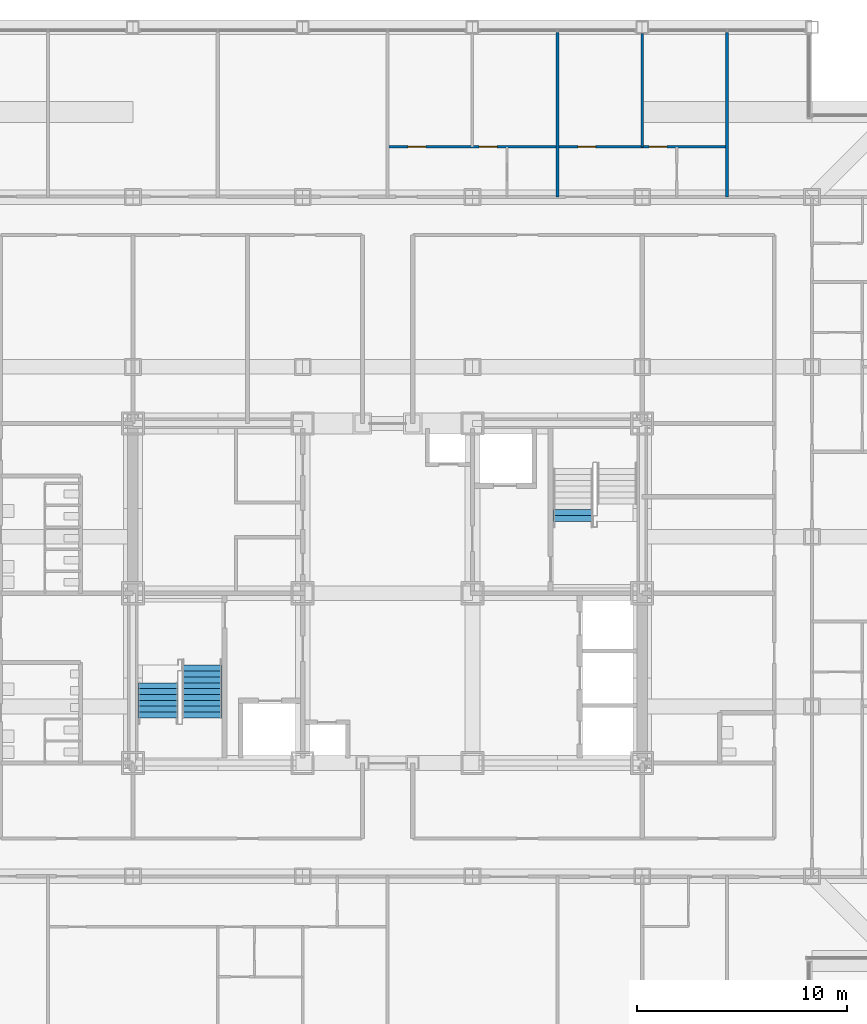
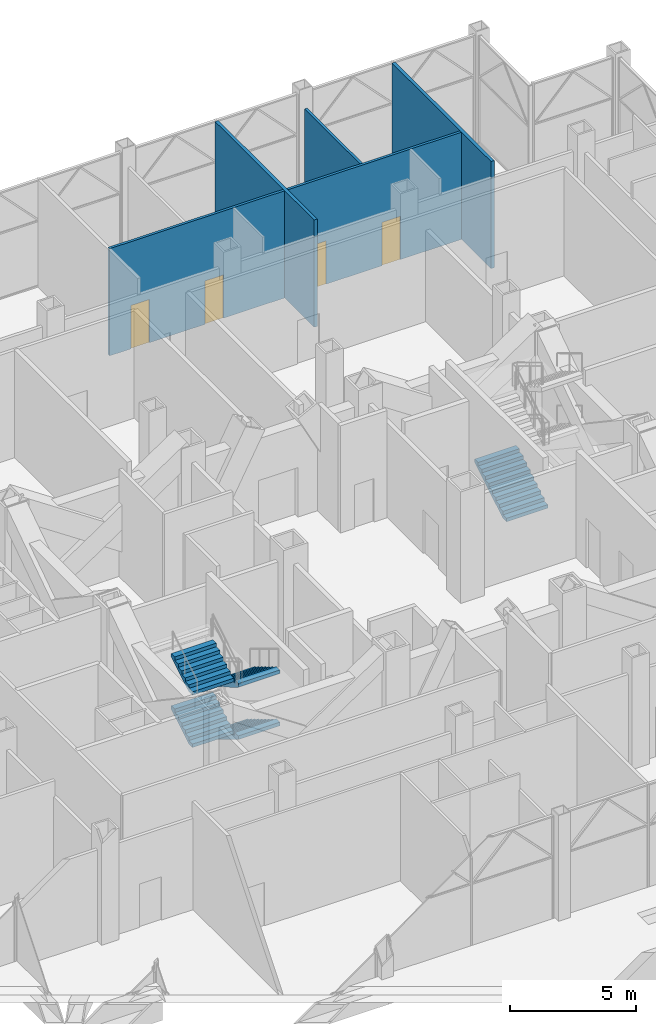
# One storey, part 26 of 29: 5 stair flights, 4 doors, 4 walls, 4 openings, 2 elements without a shape of their own.
"""IFC4 building model written with IfcOpenShell, lengths in metres."""

from ifc_helpers import new_model, si_unit, direction, frame, frame_2d, origin, place, context, subcontext, project, spatial, rectangle, extrude, polygons, source, transform, mapped, material, layer, layer_set, type_object, element, fill, aggregate, save


model = new_model("IFC4")

# Units and contexts
model_context = context("Model", 3, precision=1e-05, world=origin(), true_north=direction((0.0, 1.0)))
body_context = subcontext(model_context, "Body", "Model", "MODEL_VIEW")
ifc_project = project(units=[si_unit("LENGTHUNIT", "METRE"), si_unit("AREAUNIT", "SQUARE_METRE"), si_unit("VOLUMEUNIT", "CUBIC_METRE"), si_unit("PLANEANGLEUNIT", "RADIAN"), si_unit("MASSUNIT", "GRAM", prefix="KILO")], contexts=[model_context])

# Site, building, storey
site_placement = place(None, origin())
site = spatial("IfcSite", under=ifc_project, at=site_placement, CompositionType="ELEMENT")
building_placement = place(site_placement, origin())
building = spatial("IfcBuilding", under=site, at=building_placement, Name="Kopane Lantern Tower", CompositionType="ELEMENT")
storey_placement = place(building_placement, frame((0.0, 0.0, 165.0)))
storey = spatial("IfcBuildingStorey", under=building, at=storey_placement, Name="L42", CompositionType="ELEMENT", Elevation=165.0)

# Wall, openings, doors
ifc_material_1 = material(Name="Gypsum board on steel studs", Category="steel")
ifc_layer_1 = layer(ifc_material_1, 0.1201171875)
ifc_layer_set_1 = layer_set([ifc_layer_1], Name="APARTMENT INTERNAL WALL 120")
wall_type_1 = type_object("IfcWallType", Name="APARTMENT INTERNAL WALL 120", PredefinedType="PARTITIONING", material=ifc_layer_set_1)
wall_1_placement = place(storey_placement, frame((28.35009765625, 53.699951171875, 0.0), z_axis=(0.0, 0.0, 1.0), x_axis=(1.0, 0.0, 0.0)))
wall_1 = element("IfcWall", 1, at=wall_1_placement, inside=storey, type_object=wall_type_1, Name="Apartment Internal Wall 120 L42", PredefinedType="PARTITIONING", context=body_context, shape_type="SweptSolid", body=[
    extrude(rectangle(XDim=16.199951171875, YDim=0.1201171875, at=frame_2d((8.10009765625, 0.0))), origin(), (0.0, 0.0, 1.0), 5.18994140625),
])
opening_1_placement = place(wall_1_placement, frame((0.97509765625, 0.0, 0.0)))
opening_1 = element("IfcOpeningElement", 2, at=opening_1_placement, cuts=wall_1, Name="Opening L42-032", PredefinedType="OPENING", context=body_context, shape_type="SweptSolid", body=[
    extrude(rectangle(XDim=0.85009765625, YDim=2.10009765625, at=frame_2d((0.425048828125, 1.050048828125))), frame((0.0, 0.070068359375, 0.0), z_axis=(0.0, -1.0, 0.0), x_axis=(1.0, 0.0, 0.0)), (0.0, 0.0, 1.0), 0.14013671875),
])
opening_2_placement = place(wall_1_placement, frame((4.375, 0.0, 0.0)))
opening_2 = element("IfcOpeningElement", 3, at=opening_2_placement, cuts=wall_1, Name="Opening L42-033", PredefinedType="OPENING", context=body_context, shape_type="SweptSolid", body=[
    extrude(rectangle(XDim=0.85009765625, YDim=2.10009765625, at=frame_2d((0.425048828125, 1.050048828125))), frame((0.0, 0.070068359375, 0.0), z_axis=(0.0, -1.0, 0.0), x_axis=(1.0, 0.0, 0.0)), (0.0, 0.0, 1.0), 0.14013671875),
])
opening_3_placement = place(wall_1_placement, frame((9.074951171875, 0.0, 0.0)))
opening_3 = element("IfcOpeningElement", 4, at=opening_3_placement, cuts=wall_1, Name="Opening L42-036", PredefinedType="OPENING", context=body_context, shape_type="SweptSolid", body=[
    extrude(rectangle(XDim=0.85009765625, YDim=2.10009765625, at=frame_2d((0.425048828125, 1.050048828125))), frame((0.0, 0.070068359375, 0.0), z_axis=(0.0, -1.0, 0.0), x_axis=(1.0, 0.0, 0.0)), (0.0, 0.0, 1.0), 0.14013671875),
])
opening_4_placement = place(wall_1_placement, frame((12.47509765625, 0.0, 0.0)))
opening_4 = element("IfcOpeningElement", 5, at=opening_4_placement, cuts=wall_1, Name="Opening L42-037", PredefinedType="OPENING", context=body_context, shape_type="SweptSolid", body=[
    extrude(rectangle(XDim=0.85009765625, YDim=2.10009765625, at=frame_2d((0.425048828125, 1.050048828125))), frame((0.0, 0.070068359375, 0.0), z_axis=(0.0, -1.0, 0.0), x_axis=(1.0, 0.0, 0.0)), (0.0, 0.0, 1.0), 0.14013671875),
])
ifc_material_2 = material(Name="Timber door set", Category="wood")
door_type = type_object("IfcDoorType", Name="DOOR D4 850x2100", OperationType="SINGLE_SWING_LEFT", PredefinedType="DOOR", material=ifc_material_2)
door_1_placement = place(opening_1_placement, origin())
door_1 = element("IfcDoor", 6, at=door_1_placement, inside=storey, type_object=door_type, Name="Door L42-032", OperationType="SINGLE_SWING_RIGHT", OverallHeight=2.10009765625, OverallWidth=0.85009765625, PredefinedType="DOOR", context=body_context, shape_type="SweptSolid", body=[
    extrude(rectangle(XDim=0.85009765625, YDim=2.10009765625, at=frame_2d((0.425048828125, 1.050048828125))), frame((0.0, 0.02490234375, 0.0), z_axis=(0.0, -1.0, 0.0), x_axis=(1.0, 0.0, 0.0)), (0.0, 0.0, 1.0), 0.050048828125),
])
fill(opening_1, door_1)
door_2_placement = place(opening_2_placement, origin())
door_2 = element("IfcDoor", 7, at=door_2_placement, inside=storey, type_object=door_type, Name="Door L42-033", OperationType="SINGLE_SWING_LEFT", OverallHeight=2.10009765625, OverallWidth=0.85009765625, PredefinedType="DOOR", context=body_context, shape_type="SweptSolid", body=[
    extrude(rectangle(XDim=0.85009765625, YDim=2.10009765625, at=frame_2d((0.425048828125, 1.050048828125))), frame((0.0, 0.02490234375, 0.0), z_axis=(0.0, -1.0, 0.0), x_axis=(1.0, 0.0, 0.0)), (0.0, 0.0, 1.0), 0.050048828125),
])
fill(opening_2, door_2)
door_3_placement = place(opening_3_placement, origin())
door_3 = element("IfcDoor", 8, at=door_3_placement, inside=storey, type_object=door_type, Name="Door L42-036", OperationType="SINGLE_SWING_RIGHT", OverallHeight=2.10009765625, OverallWidth=0.85009765625, PredefinedType="DOOR", context=body_context, shape_type="SweptSolid", body=[
    extrude(rectangle(XDim=0.85009765625, YDim=2.10009765625, at=frame_2d((0.425048828125, 1.050048828125))), frame((0.0, 0.02490234375, 0.0), z_axis=(0.0, -1.0, 0.0), x_axis=(1.0, 0.0, 0.0)), (0.0, 0.0, 1.0), 0.050048828125),
])
fill(opening_3, door_3)
door_4_placement = place(opening_4_placement, origin())
door_4 = element("IfcDoor", 9, at=door_4_placement, inside=storey, type_object=door_type, Name="Door L42-037", OperationType="SINGLE_SWING_LEFT", OverallHeight=2.10009765625, OverallWidth=0.85009765625, PredefinedType="DOOR", context=body_context, shape_type="SweptSolid", body=[
    extrude(rectangle(XDim=0.85009765625, YDim=2.10009765625, at=frame_2d((0.425048828125, 1.050048828125))), frame((0.0, 0.02490234375, 0.0), z_axis=(0.0, -1.0, 0.0), x_axis=(1.0, 0.0, 0.0)), (0.0, 0.0, 1.0), 0.050048828125),
])
fill(opening_4, door_4)

# Walls
wall_2_placement = place(storey_placement, frame((40.5, 53.699951171875, 0.0), z_axis=(0.0, 0.0, 1.0), x_axis=(0.0, 1.0, 0.0)))
element("IfcWall", 10, at=wall_2_placement, inside=storey, type_object=wall_type_1, Name="Apartment Internal Wall 120 L42", PredefinedType="PARTITIONING", context=body_context, shape_type="SweptSolid", body=[
    extrude(rectangle(XDim=5.400146484375, YDim=0.1201171875, at=frame_2d((2.7001953125, 0.0))), origin(), (0.0, 0.0, 1.0), 4.420166015625),
])
ifc_material_3 = material(Name="Gypsum board on steel studs", Category="steel")
ifc_layer_2 = layer(ifc_material_3, 0.14990234375)
ifc_layer_set_2 = layer_set([ifc_layer_2], Name="DEMISING WALL 150 EI 60")
wall_type_2 = type_object("IfcWallType", Name="DEMISING WALL 150 EI 60", PredefinedType="PARTITIONING", material=ifc_layer_set_2)
for number, where, z_axis, x_axis, name in (
    (11, (36.449951171875, 51.300048828125, 0.0), (0.0, 0.0, 1.0), (0.0, 1.0, 0.0), "Demising Wall 150 Ei 60 L42"),
    (12, (44.550048828125, 51.300048828125, 0.0), (0.0, 0.0, 1.0), (0.0, 1.0, 0.0), "Demising Wall 150 Ei 60 L42"),
):
    element("IfcWall", number, at=place(storey_placement, frame(where, z_axis=z_axis, x_axis=x_axis)), inside=storey, type_object=wall_type_2, Name=name, PredefinedType="PARTITIONING", context=body_context, shape_type="SweptSolid", body=[
        extrude(rectangle(XDim=7.864501953125, YDim=0.14990234375, at=frame_2d((3.93212890625, 0.0))), origin(), (0.0, 0.0, 1.0), 5.18994140625),
    ])

# Stair, stair flights
ifc_material_4 = material(Name="Steel S355JR", Category="steel")
stair_type = type_object("IfcStairType", Name="EXIT STAIR 1900 HALF TURN", PredefinedType="HALF_TURN_STAIR", material=ifc_material_4)
stair_1_placement = place(storey_placement, origin())
stair_1 = element("IfcStair", 13, at=stair_1_placement, inside=storey, type_object=stair_type, Name="Exit stair ST1 L42", PredefinedType="HALF_TURN_STAIR")
ifc_material_5 = material(Name="Steel S355JR", Category="steel")
stair_flight_type = type_object("IfcStairFlightType", Name="STAIR FLIGHT 1900 STEEL", PredefinedType="STRAIGHT", material=ifc_material_5)
shared_shape_1 = source(origin(), body_context, "Body", "Tessellation", [
    polygons([(1.959960938, 0.949951172, 1.181152344), (1.679931641, 0.949951172, 1.181152344), (1.679931641, -0.949951172, 1.181152344), (1.959960938, -0.949951172, 1.181152344), (0.290527344, 0.949951172, 0.0), (1.959960938, 0.949951172, 1.006347656), (1.959960938, -0.949951172, 1.006347656), (0.290527344, -0.949951172, 0.0), (0.0, 0.949951172, 0.0), (0.0, -0.949951172, 0.0), (0.280029297, 0.949951172, 0.168701172), (0.0, 0.949951172, 0.168701172), (0.0, -0.949951172, 0.168701172), (0.280029297, -0.949951172, 0.168701172), (0.280029297, 0.949951172, 0.337402344), (0.280029297, -0.949951172, 0.337402344), (0.560058594, 0.949951172, 0.337402344), (0.560058594, -0.949951172, 0.337402344), (0.560058594, 0.949951172, 0.506347656), (0.560058594, -0.949951172, 0.506347656), (0.840087891, 0.949951172, 0.506347656), (0.840087891, -0.949951172, 0.506347656), (0.840087891, 0.949951172, 0.675048828), (0.840087891, -0.949951172, 0.675048828), (1.120117188, 0.949951172, 0.675048828), (1.120117188, -0.949951172, 0.675048828), (1.120117188, 0.949951172, 0.84375), (1.120117188, -0.949951172, 0.84375), (1.399902344, 0.949951172, 0.84375), (1.399902344, -0.949951172, 0.84375), (1.399902344, 0.949951172, 1.012451172), (1.399902344, -0.949951172, 1.012451172), (1.679931641, 0.949951172, 1.012451172), (1.679931641, -0.949951172, 1.012451172), (0.0, 0.0, 0.004559491), (0.0, 0.0, 0.009118982), (0.0, 0.0, 0.013678473), (0.0, 0.0, 0.018237965), (0.0, 0.0, 0.022797456), (0.0, 0.0, 0.027356947), (0.0, 0.0, 0.031916438), (0.0, 0.0, 0.036475929), (0.0, 0.0, 0.04103542), (0.0, 0.0, 0.045594911), (0.0, 0.0, 0.050154402), (0.0, 0.0, 0.054713894), (0.0, 0.0, 0.059273385), (0.0, 0.0, 0.063832876), (0.0, 0.0, 0.068392367), (0.0, 0.0, 0.072951858), (0.0, 0.0, 0.077511349), (0.0, 0.0, 0.08207084), (0.0, 0.0, 0.086630332), (0.0, 0.0, 0.091189823), (0.0, 0.0, 0.095749314), (0.0, 0.0, 0.100308805), (0.0, 0.0, 0.104868296), (0.0, 0.0, 0.109427787), (0.0, 0.0, 0.113987278), (0.0, 0.0, 0.118546769), (0.0, 0.0, 0.123106261), (0.0, 0.0, 0.127665752), (0.0, 0.0, 0.132225243), (0.0, 0.0, 0.136784734), (0.0, 0.0, 0.141344225), (0.0, 0.0, 0.145903716), (0.0, 0.0, 0.150463207), (0.0, 0.0, 0.155022698), (0.0, 0.0, 0.15958219), (0.0, 0.0, 0.164141681), (1.959960938, 0.0, 1.011072107), (1.959960938, 0.0, 1.015796558), (1.959960938, 0.0, 1.020521009), (1.959960938, 0.0, 1.02524546), (1.959960938, 0.0, 1.029969911), (1.959960938, 0.0, 1.034694362), (1.959960938, 0.0, 1.039418813), (1.959960938, 0.0, 1.044143264), (1.959960938, 0.0, 1.048867715), (1.959960938, 0.0, 1.053592166), (1.959960938, 0.0, 1.058316617), (1.959960938, 0.0, 1.063041068), (1.959960938, 0.0, 1.067765519), (1.959960938, 0.0, 1.07248997), (1.959960938, 0.0, 1.077214421), (1.959960938, 0.0, 1.081938872), (1.959960938, 0.0, 1.086663323), (1.959960938, 0.0, 1.091387774), (1.959960938, 0.0, 1.096112226), (1.959960938, 0.0, 1.100836677), (1.959960938, 0.0, 1.105561128), (1.959960938, 0.0, 1.110285579), (1.959960938, 0.0, 1.11501003), (1.959960938, 0.0, 1.119734481), (1.959960938, 0.0, 1.124458932), (1.959960938, 0.0, 1.129183383), (1.959960938, 0.0, 1.133907834), (1.959960938, 0.0, 1.138632285), (1.959960938, 0.0, 1.143356736), (1.959960938, 0.0, 1.148081187), (1.959960938, 0.0, 1.152805638), (1.959960938, 0.0, 1.157530089), (1.959960938, 0.0, 1.16225454), (1.959960938, 0.0, 1.166978991), (1.959960938, 0.0, 1.171703442), (1.959960938, 0.0, 1.176427893)], [[[1, 2, 3]], [[1, 3, 4]], [[5, 6, 7]], [[5, 7, 8]], [[9, 5, 8]], [[9, 8, 10]], [[11, 12, 13]], [[11, 13, 14]], [[15, 11, 14]], [[15, 14, 16]], [[17, 15, 16]], [[17, 16, 18]], [[19, 17, 18]], [[19, 18, 20]], [[21, 19, 20]], [[21, 20, 22]], [[23, 21, 22]], [[23, 22, 24]], [[25, 23, 24]], [[25, 24, 26]], [[27, 25, 26]], [[27, 26, 28]], [[29, 27, 28]], [[29, 28, 30]], [[31, 29, 30]], [[31, 30, 32]], [[33, 31, 32]], [[33, 32, 34]], [[2, 33, 34]], [[2, 34, 3]], [[33, 1, 6]], [[29, 33, 6]], [[2, 1, 33]], [[25, 29, 6]], [[31, 33, 29]], [[5, 21, 25]], [[27, 29, 25]], [[17, 21, 5]], [[23, 25, 21]], [[11, 17, 5]], [[19, 21, 17]], [[9, 11, 5]], [[15, 17, 11]], [[12, 11, 9]], [[6, 5, 25]], [[7, 4, 34]], [[7, 34, 30]], [[34, 4, 3]], [[7, 30, 26]], [[30, 34, 32]], [[26, 22, 8]], [[26, 30, 28]], [[8, 22, 18]], [[22, 26, 24]], [[8, 18, 14]], [[18, 22, 20]], [[8, 14, 10]], [[14, 18, 16]], [[10, 14, 13]], [[26, 8, 7]], [[10, 35, 9]], [[10, 36, 35]], [[9, 35, 36]], [[10, 37, 36]], [[9, 36, 37]], [[10, 38, 37]], [[9, 37, 38]], [[10, 39, 38]], [[9, 38, 39]], [[10, 40, 39]], [[9, 39, 40]], [[10, 41, 40]], [[9, 40, 41]], [[10, 42, 41]], [[9, 41, 42]], [[10, 43, 42]], [[9, 42, 43]], [[10, 44, 43]], [[9, 43, 44]], [[10, 45, 44]], [[9, 44, 45]], [[10, 46, 45]], [[9, 45, 46]], [[10, 47, 46]], [[9, 46, 47]], [[10, 48, 47]], [[9, 47, 48]], [[10, 49, 48]], [[9, 48, 49]], [[10, 50, 49]], [[9, 49, 50]], [[10, 51, 50]], [[9, 50, 51]], [[10, 52, 51]], [[9, 51, 52]], [[10, 53, 52]], [[9, 52, 53]], [[10, 54, 53]], [[9, 53, 54]], [[10, 55, 54]], [[9, 54, 55]], [[10, 56, 55]], [[9, 55, 56]], [[10, 57, 56]], [[9, 56, 57]], [[10, 58, 57]], [[9, 57, 58]], [[10, 59, 58]], [[9, 58, 59]], [[10, 60, 59]], [[9, 59, 60]], [[10, 61, 60]], [[9, 60, 61]], [[10, 62, 61]], [[9, 61, 62]], [[10, 63, 62]], [[9, 62, 63]], [[10, 64, 63]], [[9, 63, 64]], [[10, 65, 64]], [[9, 64, 65]], [[10, 66, 65]], [[9, 65, 66]], [[10, 67, 66]], [[9, 66, 67]], [[10, 68, 67]], [[9, 67, 68]], [[10, 69, 68]], [[9, 68, 69]], [[10, 70, 69]], [[9, 69, 70]], [[10, 13, 70]], [[70, 13, 12]], [[9, 70, 12]], [[7, 6, 71]], [[7, 71, 72]], [[6, 72, 71]], [[7, 72, 73]], [[6, 73, 72]], [[7, 73, 74]], [[6, 74, 73]], [[7, 74, 75]], [[6, 75, 74]], [[7, 75, 76]], [[6, 76, 75]], [[7, 76, 77]], [[6, 77, 76]], [[7, 77, 78]], [[6, 78, 77]], [[7, 78, 79]], [[6, 79, 78]], [[7, 79, 80]], [[6, 80, 79]], [[7, 80, 81]], [[6, 81, 80]], [[7, 81, 82]], [[6, 82, 81]], [[7, 82, 83]], [[6, 83, 82]], [[7, 83, 84]], [[6, 84, 83]], [[7, 84, 85]], [[6, 85, 84]], [[7, 85, 86]], [[6, 86, 85]], [[7, 86, 87]], [[6, 87, 86]], [[7, 87, 88]], [[6, 88, 87]], [[7, 88, 89]], [[6, 89, 88]], [[7, 89, 90]], [[6, 90, 89]], [[7, 90, 91]], [[6, 91, 90]], [[7, 91, 92]], [[6, 92, 91]], [[7, 92, 93]], [[6, 93, 92]], [[7, 93, 94]], [[6, 94, 93]], [[7, 94, 95]], [[6, 95, 94]], [[7, 95, 96]], [[6, 96, 95]], [[7, 96, 97]], [[6, 97, 96]], [[7, 97, 98]], [[6, 98, 97]], [[7, 98, 99]], [[6, 99, 98]], [[7, 99, 100]], [[6, 100, 99]], [[7, 100, 101]], [[6, 101, 100]], [[7, 101, 102]], [[6, 102, 101]], [[7, 102, 103]], [[6, 103, 102]], [[7, 103, 104]], [[6, 104, 103]], [[7, 104, 105]], [[6, 105, 104]], [[7, 105, 106]], [[6, 106, 105]], [[7, 106, 4]], [[106, 1, 4]], [[6, 1, 106]]], closed=True),
])
stair_flight_1_placement = place(storey_placement, frame((19.5, 28.409912109375, 2.868896484375), z_axis=(0.0, 0.0, 1.0), x_axis=(0.0, -1.0, 0.0)))
stair_flight_1 = element("IfcStairFlight", 14, at=stair_flight_1_placement, type_object=stair_flight_type, Name="ST1 flight 3", NumberOfRisers=8, NumberOfTreads=7, PredefinedType="STRAIGHT", RiserHeight=0.16875, TreadLength=0.28, context=body_context, shape_type="MappedRepresentation", body=[
    mapped(shared_shape_1, transform((0.0, 0.0, 0.0))),
])
shared_shape_2 = source(origin(), body_context, "Body", "Tessellation", [
    polygons([(2.520019531, 0.949951172, 1.518798828), (2.239990234, 0.949951172, 1.518798828), (2.239990234, -0.949951172, 1.518798828), (2.520019531, -0.949951172, 1.518798828), (0.290527344, 0.949951172, 0.0), (2.520019531, 0.949951172, 1.34375), (2.520019531, -0.949951172, 1.34375), (0.290527344, -0.949951172, 0.0), (0.0, 0.949951172, 0.0), (0.0, -0.949951172, 0.0), (0.280029297, 0.949951172, 0.168701172), (0.0, 0.949951172, 0.168701172), (0.0, -0.949951172, 0.168701172), (0.280029297, -0.949951172, 0.168701172), (0.280029297, 0.949951172, 0.337402344), (0.280029297, -0.949951172, 0.337402344), (0.560058594, 0.949951172, 0.337402344), (0.560058594, -0.949951172, 0.337402344), (0.560058594, 0.949951172, 0.506347656), (0.560058594, -0.949951172, 0.506347656), (0.840087891, 0.949951172, 0.506347656), (0.840087891, -0.949951172, 0.506347656), (0.840087891, 0.949951172, 0.675048828), (0.840087891, -0.949951172, 0.675048828), (1.120117188, 0.949951172, 0.675048828), (1.120117188, -0.949951172, 0.675048828), (1.120117188, 0.949951172, 0.84375), (1.120117188, -0.949951172, 0.84375), (1.399902344, 0.949951172, 0.84375), (1.399902344, -0.949951172, 0.84375), (1.399902344, 0.949951172, 1.012451172), (1.399902344, -0.949951172, 1.012451172), (1.679931641, 0.949951172, 1.012451172), (1.679931641, -0.949951172, 1.012451172), (1.679931641, 0.949951172, 1.181152344), (1.679931641, -0.949951172, 1.181152344), (1.959960938, 0.949951172, 1.181152344), (1.959960938, -0.949951172, 1.181152344), (1.959960938, 0.949951172, 1.350097656), (1.959960938, -0.949951172, 1.350097656), (2.239990234, 0.949951172, 1.350097656), (2.239990234, -0.949951172, 1.350097656), (0.0, 0.0, 0.004559491), (0.0, 0.0, 0.009118982), (0.0, 0.0, 0.013678473), (0.0, 0.0, 0.018237965), (0.0, 0.0, 0.022797456), (0.0, 0.0, 0.027356947), (0.0, 0.0, 0.031916438), (0.0, 0.0, 0.036475929), (0.0, 0.0, 0.04103542), (0.0, 0.0, 0.045594911), (0.0, 0.0, 0.050154402), (0.0, 0.0, 0.054713894), (0.0, 0.0, 0.059273385), (0.0, 0.0, 0.063832876), (0.0, 0.0, 0.068392367), (0.0, 0.0, 0.072951858), (0.0, 0.0, 0.077511349), (0.0, 0.0, 0.08207084), (0.0, 0.0, 0.086630332), (0.0, 0.0, 0.091189823), (0.0, 0.0, 0.095749314), (0.0, 0.0, 0.100308805), (0.0, 0.0, 0.104868296), (0.0, 0.0, 0.109427787), (0.0, 0.0, 0.113987278), (0.0, 0.0, 0.118546769), (0.0, 0.0, 0.123106261), (0.0, 0.0, 0.127665752), (0.0, 0.0, 0.132225243), (0.0, 0.0, 0.136784734), (0.0, 0.0, 0.141344225), (0.0, 0.0, 0.145903716), (0.0, 0.0, 0.150463207), (0.0, 0.0, 0.155022698), (0.0, 0.0, 0.15958219), (0.0, 0.0, 0.164141681), (2.520019531, 0.0, 1.348481049), (2.520019531, 0.0, 1.353212099), (2.520019531, 0.0, 1.357943148), (2.520019531, 0.0, 1.362674198), (2.520019531, 0.0, 1.367405247), (2.520019531, 0.0, 1.372136296), (2.520019531, 0.0, 1.376867346), (2.520019531, 0.0, 1.381598395), (2.520019531, 0.0, 1.386329445), (2.520019531, 0.0, 1.391060494), (2.520019531, 0.0, 1.395791543), (2.520019531, 0.0, 1.400522593), (2.520019531, 0.0, 1.405253642), (2.520019531, 0.0, 1.409984692), (2.520019531, 0.0, 1.414715741), (2.520019531, 0.0, 1.419446791), (2.520019531, 0.0, 1.42417784), (2.520019531, 0.0, 1.428908889), (2.520019531, 0.0, 1.433639939), (2.520019531, 0.0, 1.438370988), (2.520019531, 0.0, 1.443102038), (2.520019531, 0.0, 1.447833087), (2.520019531, 0.0, 1.452564136), (2.520019531, 0.0, 1.457295186), (2.520019531, 0.0, 1.462026235), (2.520019531, 0.0, 1.466757285), (2.520019531, 0.0, 1.471488334), (2.520019531, 0.0, 1.476219383), (2.520019531, 0.0, 1.480950433), (2.520019531, 0.0, 1.485681482), (2.520019531, 0.0, 1.490412532), (2.520019531, 0.0, 1.495143581), (2.520019531, 0.0, 1.49987463), (2.520019531, 0.0, 1.50460568), (2.520019531, 0.0, 1.509336729), (2.520019531, 0.0, 1.514067779)], [[[1, 2, 3]], [[1, 3, 4]], [[5, 6, 7]], [[5, 7, 8]], [[9, 5, 8]], [[9, 8, 10]], [[11, 12, 13]], [[11, 13, 14]], [[15, 11, 14]], [[15, 14, 16]], [[17, 15, 16]], [[17, 16, 18]], [[19, 17, 18]], [[19, 18, 20]], [[21, 19, 20]], [[21, 20, 22]], [[23, 21, 22]], [[23, 22, 24]], [[25, 23, 24]], [[25, 24, 26]], [[27, 25, 26]], [[27, 26, 28]], [[29, 27, 28]], [[29, 28, 30]], [[31, 29, 30]], [[31, 30, 32]], [[33, 31, 32]], [[33, 32, 34]], [[35, 33, 34]], [[35, 34, 36]], [[37, 35, 36]], [[37, 36, 38]], [[39, 37, 38]], [[39, 38, 40]], [[41, 39, 40]], [[41, 40, 42]], [[2, 41, 42]], [[2, 42, 3]], [[41, 1, 6]], [[37, 41, 6]], [[2, 1, 41]], [[33, 37, 6]], [[39, 41, 37]], [[35, 37, 33]], [[31, 33, 29]], [[5, 21, 25]], [[27, 29, 25]], [[17, 21, 5]], [[23, 25, 21]], [[11, 17, 5]], [[19, 21, 17]], [[9, 11, 5]], [[15, 17, 11]], [[12, 11, 9]], [[6, 5, 33]], [[33, 5, 29]], [[29, 5, 25]], [[7, 4, 42]], [[7, 42, 38]], [[42, 4, 3]], [[7, 38, 34]], [[38, 42, 40]], [[34, 38, 36]], [[30, 34, 32]], [[26, 22, 8]], [[26, 30, 28]], [[8, 22, 18]], [[22, 26, 24]], [[8, 18, 14]], [[18, 22, 20]], [[8, 14, 10]], [[14, 18, 16]], [[10, 14, 13]], [[34, 8, 7]], [[30, 8, 34]], [[26, 8, 30]], [[10, 43, 9]], [[10, 44, 43]], [[9, 43, 44]], [[10, 45, 44]], [[9, 44, 45]], [[10, 46, 45]], [[9, 45, 46]], [[10, 47, 46]], [[9, 46, 47]], [[10, 48, 47]], [[9, 47, 48]], [[10, 49, 48]], [[9, 48, 49]], [[10, 50, 49]], [[9, 49, 50]], [[10, 51, 50]], [[9, 50, 51]], [[10, 52, 51]], [[9, 51, 52]], [[10, 53, 52]], [[9, 52, 53]], [[10, 54, 53]], [[9, 53, 54]], [[10, 55, 54]], [[9, 54, 55]], [[10, 56, 55]], [[9, 55, 56]], [[10, 57, 56]], [[9, 56, 57]], [[10, 58, 57]], [[9, 57, 58]], [[10, 59, 58]], [[9, 58, 59]], [[10, 60, 59]], [[9, 59, 60]], [[10, 61, 60]], [[9, 60, 61]], [[10, 62, 61]], [[9, 61, 62]], [[10, 63, 62]], [[9, 62, 63]], [[10, 64, 63]], [[9, 63, 64]], [[10, 65, 64]], [[9, 64, 65]], [[10, 66, 65]], [[9, 65, 66]], [[10, 67, 66]], [[9, 66, 67]], [[10, 68, 67]], [[9, 67, 68]], [[10, 69, 68]], [[9, 68, 69]], [[10, 70, 69]], [[9, 69, 70]], [[10, 71, 70]], [[9, 70, 71]], [[10, 72, 71]], [[9, 71, 72]], [[10, 73, 72]], [[9, 72, 73]], [[10, 74, 73]], [[9, 73, 74]], [[10, 75, 74]], [[9, 74, 75]], [[10, 76, 75]], [[9, 75, 76]], [[10, 77, 76]], [[9, 76, 77]], [[10, 78, 77]], [[9, 77, 78]], [[10, 13, 78]], [[78, 13, 12]], [[9, 78, 12]], [[7, 6, 79]], [[7, 79, 80]], [[6, 80, 79]], [[7, 80, 81]], [[6, 81, 80]], [[7, 81, 82]], [[6, 82, 81]], [[7, 82, 83]], [[6, 83, 82]], [[7, 83, 84]], [[6, 84, 83]], [[7, 84, 85]], [[6, 85, 84]], [[7, 85, 86]], [[6, 86, 85]], [[7, 86, 87]], [[6, 87, 86]], [[7, 87, 88]], [[6, 88, 87]], [[7, 88, 89]], [[6, 89, 88]], [[7, 89, 90]], [[6, 90, 89]], [[7, 90, 91]], [[6, 91, 90]], [[7, 91, 92]], [[6, 92, 91]], [[7, 92, 93]], [[6, 93, 92]], [[7, 93, 94]], [[6, 94, 93]], [[7, 94, 95]], [[6, 95, 94]], [[7, 95, 96]], [[6, 96, 95]], [[7, 96, 97]], [[6, 97, 96]], [[7, 97, 98]], [[6, 98, 97]], [[7, 98, 99]], [[6, 99, 98]], [[7, 99, 100]], [[6, 100, 99]], [[7, 100, 101]], [[6, 101, 100]], [[7, 101, 102]], [[6, 102, 101]], [[7, 102, 103]], [[6, 103, 102]], [[7, 103, 104]], [[6, 104, 103]], [[7, 104, 105]], [[6, 105, 104]], [[7, 105, 106]], [[6, 106, 105]], [[7, 106, 107]], [[6, 107, 106]], [[7, 107, 108]], [[6, 108, 107]], [[7, 108, 109]], [[6, 109, 108]], [[7, 109, 110]], [[6, 110, 109]], [[7, 110, 111]], [[6, 111, 110]], [[7, 111, 112]], [[6, 112, 111]], [[7, 112, 113]], [[6, 113, 112]], [[7, 113, 114]], [[6, 114, 113]], [[7, 114, 4]], [[114, 1, 4]], [[6, 1, 114]]], closed=True),
])
stair_flight_2_placement = place(storey_placement, frame((19.5, 28.969970703125, 0.0), z_axis=(0.0, 0.0, 1.0), x_axis=(0.0, -1.0, 0.0)))
stair_flight_2 = element("IfcStairFlight", 15, at=stair_flight_2_placement, type_object=stair_flight_type, Name="ST1 flight 1", NumberOfRisers=10, NumberOfTreads=9, PredefinedType="STRAIGHT", RiserHeight=0.16875, TreadLength=0.28, context=body_context, shape_type="MappedRepresentation", body=[
    mapped(shared_shape_2, transform((0.0, 0.0, 0.0))),
])

# Stair, stair flight
stair_2_placement = place(storey_placement, origin())
stair_2 = element("IfcStair", 16, at=stair_2_placement, inside=storey, type_object=stair_type, Name="Exit stair ST2 L42", PredefinedType="HALF_TURN_STAIR")
stair_flight_3_placement = place(storey_placement, frame((37.199951171875, 35.830078125, 0.0), z_axis=(0.0, 0.0, 1.0), x_axis=(0.0, 1.0, 0.0)))
stair_flight_3 = element("IfcStairFlight", 17, at=stair_flight_3_placement, type_object=stair_flight_type, Name="ST2 flight 1", NumberOfRisers=10, NumberOfTreads=9, PredefinedType="STRAIGHT", RiserHeight=0.16875, TreadLength=0.28, context=body_context, shape_type="MappedRepresentation", body=[
    mapped(shared_shape_2, transform((0.0, 0.0, 0.0))),
])
aggregate(stair_2, [stair_flight_3])

# Stair flight
shared_shape_3 = source(origin(), body_context, "Body", "Tessellation", [
    polygons([(1.679931641, 0.949951172, 1.012451172), (1.399902344, 0.949951172, 1.012451172), (1.399902344, -0.949951172, 1.012451172), (1.679931641, -0.949951172, 1.012451172), (0.290527344, 0.949951172, 0.0), (1.679931641, 0.949951172, 0.837402344), (1.679931641, -0.949951172, 0.837402344), (0.290527344, -0.949951172, 0.0), (0.0, 0.949951172, 0.0), (0.0, -0.949951172, 0.0), (0.280029297, 0.949951172, 0.168701172), (0.0, 0.949951172, 0.168701172), (0.0, -0.949951172, 0.168701172), (0.280029297, -0.949951172, 0.168701172), (0.280029297, 0.949951172, 0.337402344), (0.280029297, -0.949951172, 0.337402344), (0.560058594, 0.949951172, 0.337402344), (0.560058594, -0.949951172, 0.337402344), (0.560058594, 0.949951172, 0.506347656), (0.560058594, -0.949951172, 0.506347656), (0.840087891, 0.949951172, 0.506347656), (0.840087891, -0.949951172, 0.506347656), (0.840087891, 0.949951172, 0.675048828), (0.840087891, -0.949951172, 0.675048828), (1.120117188, 0.949951172, 0.675048828), (1.120117188, -0.949951172, 0.675048828), (1.120117188, 0.949951172, 0.84375), (1.120117188, -0.949951172, 0.84375), (1.399902344, 0.949951172, 0.84375), (1.399902344, -0.949951172, 0.84375), (0.0, 0.0, 0.004559491), (0.0, 0.0, 0.009118982), (0.0, 0.0, 0.013678473), (0.0, 0.0, 0.018237965), (0.0, 0.0, 0.022797456), (0.0, 0.0, 0.027356947), (0.0, 0.0, 0.031916438), (0.0, 0.0, 0.036475929), (0.0, 0.0, 0.04103542), (0.0, 0.0, 0.045594911), (0.0, 0.0, 0.050154402), (0.0, 0.0, 0.054713894), (0.0, 0.0, 0.059273385), (0.0, 0.0, 0.063832876), (0.0, 0.0, 0.068392367), (0.0, 0.0, 0.072951858), (0.0, 0.0, 0.077511349), (0.0, 0.0, 0.08207084), (0.0, 0.0, 0.086630332), (0.0, 0.0, 0.091189823), (0.0, 0.0, 0.095749314), (0.0, 0.0, 0.100308805), (0.0, 0.0, 0.104868296), (0.0, 0.0, 0.109427787), (0.0, 0.0, 0.113987278), (0.0, 0.0, 0.118546769), (0.0, 0.0, 0.123106261), (0.0, 0.0, 0.127665752), (0.0, 0.0, 0.132225243), (0.0, 0.0, 0.136784734), (0.0, 0.0, 0.141344225), (0.0, 0.0, 0.145903716), (0.0, 0.0, 0.150463207), (0.0, 0.0, 0.155022698), (0.0, 0.0, 0.15958219), (0.0, 0.0, 0.164141681), (1.679931641, 0.0, 0.842133393), (1.679931641, 0.0, 0.846864443), (1.679931641, 0.0, 0.851595492), (1.679931641, 0.0, 0.856326541), (1.679931641, 0.0, 0.861057591), (1.679931641, 0.0, 0.86578864), (1.679931641, 0.0, 0.87051969), (1.679931641, 0.0, 0.875250739), (1.679931641, 0.0, 0.879981788), (1.679931641, 0.0, 0.884712838), (1.679931641, 0.0, 0.889443887), (1.679931641, 0.0, 0.894174937), (1.679931641, 0.0, 0.898905986), (1.679931641, 0.0, 0.903637035), (1.679931641, 0.0, 0.908368085), (1.679931641, 0.0, 0.913099134), (1.679931641, 0.0, 0.917830184), (1.679931641, 0.0, 0.922561233), (1.679931641, 0.0, 0.927292283), (1.679931641, 0.0, 0.932023332), (1.679931641, 0.0, 0.936754381), (1.679931641, 0.0, 0.941485431), (1.679931641, 0.0, 0.94621648), (1.679931641, 0.0, 0.95094753), (1.679931641, 0.0, 0.955678579), (1.679931641, 0.0, 0.960409628), (1.679931641, 0.0, 0.965140678), (1.679931641, 0.0, 0.969871727), (1.679931641, 0.0, 0.974602777), (1.679931641, 0.0, 0.979333826), (1.679931641, 0.0, 0.984064875), (1.679931641, 0.0, 0.988795925), (1.679931641, 0.0, 0.993526974), (1.679931641, 0.0, 0.998258024), (1.679931641, 0.0, 1.002989073), (1.679931641, 0.0, 1.007720122)], [[[1, 2, 3]], [[1, 3, 4]], [[5, 6, 7]], [[5, 7, 8]], [[9, 5, 8]], [[9, 8, 10]], [[11, 12, 13]], [[11, 13, 14]], [[15, 11, 14]], [[15, 14, 16]], [[17, 15, 16]], [[17, 16, 18]], [[19, 17, 18]], [[19, 18, 20]], [[21, 19, 20]], [[21, 20, 22]], [[23, 21, 22]], [[23, 22, 24]], [[25, 23, 24]], [[25, 24, 26]], [[27, 25, 26]], [[27, 26, 28]], [[29, 27, 28]], [[29, 28, 30]], [[2, 29, 30]], [[2, 30, 3]], [[29, 1, 6]], [[25, 29, 6]], [[2, 1, 29]], [[21, 25, 6]], [[5, 21, 6]], [[27, 29, 25]], [[17, 21, 5]], [[23, 25, 21]], [[11, 17, 5]], [[19, 21, 17]], [[9, 11, 5]], [[15, 17, 11]], [[12, 11, 9]], [[7, 4, 30]], [[7, 30, 26]], [[30, 4, 3]], [[7, 26, 22]], [[7, 22, 8]], [[26, 30, 28]], [[8, 22, 18]], [[22, 26, 24]], [[8, 18, 14]], [[18, 22, 20]], [[8, 14, 10]], [[14, 18, 16]], [[10, 14, 13]], [[10, 31, 9]], [[10, 32, 31]], [[9, 31, 32]], [[10, 33, 32]], [[9, 32, 33]], [[10, 34, 33]], [[9, 33, 34]], [[10, 35, 34]], [[9, 34, 35]], [[10, 36, 35]], [[9, 35, 36]], [[10, 37, 36]], [[9, 36, 37]], [[10, 38, 37]], [[9, 37, 38]], [[10, 39, 38]], [[9, 38, 39]], [[10, 40, 39]], [[9, 39, 40]], [[10, 41, 40]], [[9, 40, 41]], [[10, 42, 41]], [[9, 41, 42]], [[10, 43, 42]], [[9, 42, 43]], [[10, 44, 43]], [[9, 43, 44]], [[10, 45, 44]], [[9, 44, 45]], [[10, 46, 45]], [[9, 45, 46]], [[10, 47, 46]], [[9, 46, 47]], [[10, 48, 47]], [[9, 47, 48]], [[10, 49, 48]], [[9, 48, 49]], [[10, 50, 49]], [[9, 49, 50]], [[10, 51, 50]], [[9, 50, 51]], [[10, 52, 51]], [[9, 51, 52]], [[10, 53, 52]], [[9, 52, 53]], [[10, 54, 53]], [[9, 53, 54]], [[10, 55, 54]], [[9, 54, 55]], [[10, 56, 55]], [[9, 55, 56]], [[10, 57, 56]], [[9, 56, 57]], [[10, 58, 57]], [[9, 57, 58]], [[10, 59, 58]], [[9, 58, 59]], [[10, 60, 59]], [[9, 59, 60]], [[10, 61, 60]], [[9, 60, 61]], [[10, 62, 61]], [[9, 61, 62]], [[10, 63, 62]], [[9, 62, 63]], [[10, 64, 63]], [[9, 63, 64]], [[10, 65, 64]], [[9, 64, 65]], [[10, 66, 65]], [[9, 65, 66]], [[10, 13, 66]], [[66, 13, 12]], [[9, 66, 12]], [[7, 6, 67]], [[7, 67, 68]], [[6, 68, 67]], [[7, 68, 69]], [[6, 69, 68]], [[7, 69, 70]], [[6, 70, 69]], [[7, 70, 71]], [[6, 71, 70]], [[7, 71, 72]], [[6, 72, 71]], [[7, 72, 73]], [[6, 73, 72]], [[7, 73, 74]], [[6, 74, 73]], [[7, 74, 75]], [[6, 75, 74]], [[7, 75, 76]], [[6, 76, 75]], [[7, 76, 77]], [[6, 77, 76]], [[7, 77, 78]], [[6, 78, 77]], [[7, 78, 79]], [[6, 79, 78]], [[7, 79, 80]], [[6, 80, 79]], [[7, 80, 81]], [[6, 81, 80]], [[7, 81, 82]], [[6, 82, 81]], [[7, 82, 83]], [[6, 83, 82]], [[7, 83, 84]], [[6, 84, 83]], [[7, 84, 85]], [[6, 85, 84]], [[7, 85, 86]], [[6, 86, 85]], [[7, 86, 87]], [[6, 87, 86]], [[7, 87, 88]], [[6, 88, 87]], [[7, 88, 89]], [[6, 89, 88]], [[7, 89, 90]], [[6, 90, 89]], [[7, 90, 91]], [[6, 91, 90]], [[7, 91, 92]], [[6, 92, 91]], [[7, 92, 93]], [[6, 93, 92]], [[7, 93, 94]], [[6, 94, 93]], [[7, 94, 95]], [[6, 95, 94]], [[7, 95, 96]], [[6, 96, 95]], [[7, 96, 97]], [[6, 97, 96]], [[7, 97, 98]], [[6, 98, 97]], [[7, 98, 99]], [[6, 99, 98]], [[7, 99, 100]], [[6, 100, 99]], [[7, 100, 101]], [[6, 101, 100]], [[7, 101, 102]], [[6, 102, 101]], [[7, 102, 4]], [[102, 1, 4]], [[6, 1, 102]]], closed=True),
])
stair_flight_4_placement = place(storey_placement, frame((17.39990234375, 26.449951171875, 1.6875), z_axis=(0.0, 0.0, 1.0), x_axis=(0.0, 1.0, 0.0)))
stair_flight_4 = element("IfcStairFlight", 18, at=stair_flight_4_placement, type_object=stair_flight_type, Name="ST1 flight 2", NumberOfRisers=7, NumberOfTreads=6, PredefinedType="STRAIGHT", RiserHeight=0.16875, TreadLength=0.28, context=body_context, shape_type="MappedRepresentation", body=[
    mapped(shared_shape_3, transform((0.0, 0.0, 0.0))),
])

stair_flight_5_placement = place(storey_placement, frame((17.39990234375, 26.449951171875, 4.21875), z_axis=(0.0, 0.0, 1.0), x_axis=(0.0, 1.0, 0.0)))
stair_flight_5 = element("IfcStairFlight", 19, at=stair_flight_5_placement, type_object=stair_flight_type, Name="ST1 flight 4", NumberOfRisers=7, NumberOfTreads=6, PredefinedType="STRAIGHT", RiserHeight=0.16875, TreadLength=0.28, context=body_context, shape_type="MappedRepresentation", body=[
    mapped(shared_shape_3, transform((0.0, 0.0, 0.0))),
])

aggregate(stair_1, [stair_flight_2, stair_flight_4, stair_flight_1, stair_flight_5])

save(model, "model.ifc")
